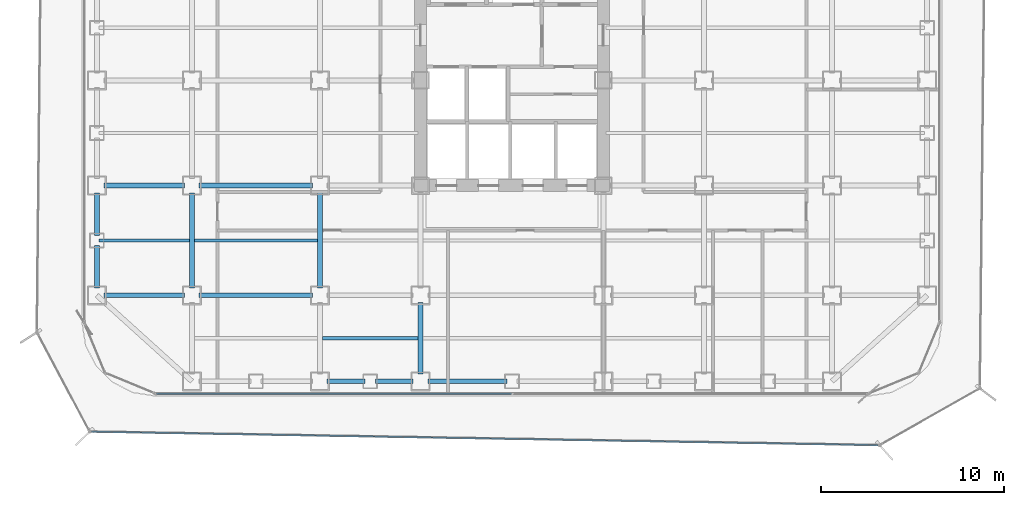
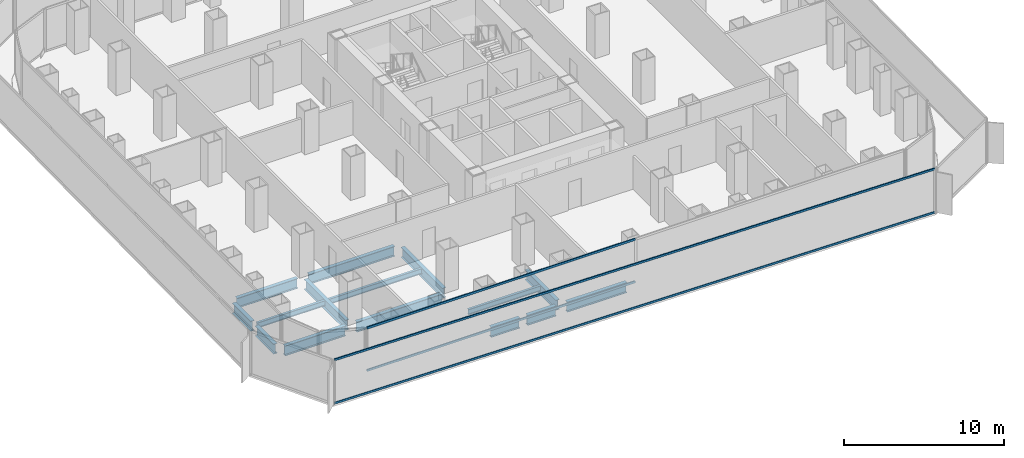
# One storey, part 3 of 21: 15 beams, 4 members, 2 elements without a shape of their own.
"""IFC4 building model written with IfcOpenShell, lengths in metres."""

import ifcopenshell
import ifcopenshell.guid

model = None  # the IFC model being written
_history = None  # IfcOwnerHistory: only IFC2X3 demands one
_inside = {}  # id of a spatial element -> (the spatial element, [elements in it])
_under = {}  # id of a project, library or spatial element -> (it, [spatial elements below it])
_declared = {}  # id of a project -> (the project, [libraries it declares])
_typed = {}  # id of a type object -> (the type object, [elements of that type])
_made_of = {}  # id of a material, layer set ... -> (it, [elements and type objects made of it])


def new_model(schema):
    """Start an empty IFC model of exactly this schema.

    Asked for "IFC4X3", IfcOpenShell would pick the latest addendum, in which some entities
    have other attributes; the version numbers below select the first issue.
    IFC2X3 requires an IfcOwnerHistory on every rooted entity: one is made here for all.
    """
    global model, _history
    if schema == "IFC4X3":
        model = ifcopenshell.file(schema_version=(4, 3, 0, 0))
    else:
        model = ifcopenshell.file(schema=schema)
    _inside.clear()
    _under.clear()
    _declared.clear()
    _typed.clear()
    _made_of.clear()
    _history = None
    if model.schema == "IFC2X3":
        org = make("IfcOrganization", Name="unknown")
        user = make(
            "IfcPersonAndOrganization",
            ThePerson=make("IfcPerson", FamilyName="unknown"),
            TheOrganization=org,
        )
        app = make(
            "IfcApplication",
            ApplicationDeveloper=org,
            Version="unknown",
            ApplicationFullName="unknown",
            ApplicationIdentifier="unknown",
        )
        _history = make(
            "IfcOwnerHistory",
            OwningUser=user,
            OwningApplication=app,
            ChangeAction="ADDED",
            CreationDate=0,
        )
    return model


def make(cls, **values):
    """One entity of the class cls with the attributes given. An attribute that is None is left unset."""
    return model.create_entity(
        cls, **{name: value for name, value in values.items() if value is not None}
    )


def rooted(cls, **values):
    """An entity with a GlobalId (a new one), such as an element, a storey or a relation."""
    return make(cls, GlobalId=ifcopenshell.guid.new(), OwnerHistory=_history, **values)


def si_unit(unit_type, name, prefix=None):
    """IfcSIUnit, for example si_unit("LENGTHUNIT", "METRE", prefix="MILLI")."""
    return make("IfcSIUnit", UnitType=unit_type, Prefix=prefix, Name=name)


def assignment(units):
    """IfcUnitAssignment: the units of a project."""
    return None if units is None else make("IfcUnitAssignment", Units=units)


def point(xyz):
    """IfcCartesianPoint."""
    return None if xyz is None else make("IfcCartesianPoint", Coordinates=xyz)


def direction(xyz):
    """IfcDirection."""
    return None if xyz is None else make("IfcDirection", DirectionRatios=xyz)


def frame(location, z_axis=None, x_axis=None):
    """IfcAxis2Placement3D, a coordinate frame: its origin and axes. An axis left out is left unset."""
    return make(
        "IfcAxis2Placement3D",
        Location=point(location),
        Axis=direction(z_axis),
        RefDirection=direction(x_axis),
    )


def frame_2d(location, x_axis=None):
    """IfcAxis2Placement2D, a coordinate frame in the plane: its origin and x axis."""
    return make(
        "IfcAxis2Placement2D", Location=point(location), RefDirection=direction(x_axis)
    )


def origin():
    """The frame at (0, 0, 0) with its axes left unset."""
    return frame((0.0, 0.0, 0.0))


def origin_2d():
    """The frame at (0, 0) in the plane with its x axis left unset."""
    return frame_2d((0.0, 0.0))


def place(relative_to, where):
    """IfcLocalPlacement: puts the frame where relative to a parent placement (None: the world)."""
    return make(
        "IfcLocalPlacement", PlacementRelTo=relative_to, RelativePlacement=where
    )


def context(
    kind, dimensions, precision=None, world=None, true_north=None, identifier=None
):
    """IfcGeometricRepresentationContext, for example the 3D "Model" context."""
    return make(
        "IfcGeometricRepresentationContext",
        ContextIdentifier=identifier,
        ContextType=kind,
        CoordinateSpaceDimension=dimensions,
        Precision=precision,
        WorldCoordinateSystem=world,
        TrueNorth=true_north,
    )


def subcontext(parent, identifier, kind, view, scale=None):
    """IfcGeometricRepresentationSubContext, for example "Body" below "Model"."""
    return make(
        "IfcGeometricRepresentationSubContext",
        ContextIdentifier=identifier,
        ContextType=kind,
        ParentContext=parent,
        TargetScale=scale,
        TargetView=view,
    )


def project(units=None, contexts=None):
    """IfcProject with its units and contexts."""
    return rooted(
        "IfcProject",
        Name="project",
        RepresentationContexts=contexts,
        UnitsInContext=assignment(units),
    )


def spatial(cls, under=None, at=None, **own):
    """A site, building, storey or space (cls), placed at a placement, below another one or the project."""
    s = rooted(cls, ObjectPlacement=at, **own)
    if under is not None:
        _under.setdefault(under.id(), (under, []))[1].append(s)
    return s


def profile(cls, at=None, kind="AREA", **sizes):
    """A parametric profile (cls). Its sizes go by their IFC names, for example OverallWidth=200.0."""
    return make(cls, ProfileType=kind, Position=at, **sizes)


def hollow_rectangle(**sizes):
    """IfcRectangleHollowProfileDef."""
    return profile("IfcRectangleHollowProfileDef", **sizes)


def i_section(**sizes):
    """IfcIShapeProfileDef."""
    return profile("IfcIShapeProfileDef", **sizes)


def extrude(swept, where, along, depth):
    """IfcExtrudedAreaSolid: the profile swept, set in the frame where, extruded along a direction by depth."""
    return make(
        "IfcExtrudedAreaSolid",
        SweptArea=swept,
        Position=where,
        ExtrudedDirection=direction(along),
        Depth=depth,
    )


def shape(context_of_items, identifier, shape_type, items):
    """IfcShapeRepresentation: the items that make up one representation, for example the "Body"."""
    return make(
        "IfcShapeRepresentation",
        ContextOfItems=context_of_items,
        RepresentationIdentifier=identifier,
        RepresentationType=shape_type,
        Items=items,
    )


def source(mapping_origin, context_of_items, identifier, shape_type, items):
    """IfcRepresentationMap: a shape defined once, which mapped items show again and again."""
    return make(
        "IfcRepresentationMap",
        MappingOrigin=mapping_origin,
        MappedRepresentation=shape(context_of_items, identifier, shape_type, items),
    )


def transform(
    local_origin,
    x_axis=None,
    y_axis=None,
    z_axis=None,
    scale=None,
    scale2=None,
    scale3=None,
    uniform=True,
):
    """IfcCartesianTransformationOperator3D, or its non-uniform kind. x_axis, y_axis, z_axis: its Axis1, 2, 3."""
    if uniform:
        return make(
            "IfcCartesianTransformationOperator3D",
            Axis1=direction(x_axis),
            Axis2=direction(y_axis),
            LocalOrigin=point(local_origin),
            Scale=scale,
            Axis3=direction(z_axis),
        )
    return make(
        "IfcCartesianTransformationOperator3DnonUniform",
        Axis1=direction(x_axis),
        Axis2=direction(y_axis),
        LocalOrigin=point(local_origin),
        Scale=scale,
        Axis3=direction(z_axis),
        Scale2=scale2,
        Scale3=scale3,
    )


def mapped(mapping_source, mapping_target):
    """IfcMappedItem: shows the shape of a source again, moved by a transform."""
    return make(
        "IfcMappedItem", MappingSource=mapping_source, MappingTarget=mapping_target
    )


def material(Name=None, Category=None):
    """IfcMaterial."""
    return make("IfcMaterial", Name=Name, Category=Category)


def layer(
    of_material, thickness, ventilated=None, Name=None, Category=None, Priority=None
):
    """IfcMaterialLayer: one layer of a wall or slab, of a material (None: an air gap)."""
    return make(
        "IfcMaterialLayer",
        Material=of_material,
        LayerThickness=thickness,
        IsVentilated=ventilated,
        Name=Name,
        Category=Category,
        Priority=Priority,
    )


def layer_set(layers, Name=None):
    """IfcMaterialLayerSet."""
    return make("IfcMaterialLayerSet", MaterialLayers=layers, LayerSetName=Name)


def material_profile(
    of_material, cross_section, Name=None, Category=None, Priority=None
):
    """IfcMaterialProfile: a cross section and its material."""
    return make(
        "IfcMaterialProfile",
        Name=Name,
        Material=of_material,
        Profile=cross_section,
        Priority=Priority,
        Category=Category,
    )


def profile_set(profiles, Name=None, composite=None):
    """IfcMaterialProfileSet."""
    return make(
        "IfcMaterialProfileSet",
        Name=Name,
        MaterialProfiles=profiles,
        CompositeProfile=composite,
    )


def made_of(thing, what):
    """Note that an element or type object is made of a material, layer set ...; save() writes the relation."""
    if what is not None:
        _made_of.setdefault(what.id(), (what, []))[1].append(thing)
    return thing


def type_object(cls, material=None, **own):
    """A type object (cls), such as IfcWallType, which elements share."""
    return made_of(rooted(cls, **own), material)


def element(
    cls,
    number,
    at=None,
    inside=None,
    cuts=None,
    type_object=None,
    material=None,
    context=None,
    identifier="Body",
    shape_type=None,
    held_by="IfcProductDefinitionShape",
    body=None,
    shapes=None,
    **own,
):
    """One element of the class cls, such as IfcWall. Its Tag is "e" and its number.

    at: its placement. inside: the storey or other place that contains it. cuts: it is an
    opening in that element (IfcRelVoidsElement). A single representation is given by context,
    identifier, shape_type and body (its items); several are given by shapes. held_by: the class
    of the entity that holds the representations. save() writes the other relations.
    """
    e = rooted(cls, Tag="e%d" % number, ObjectPlacement=at, **own)
    if body is not None:
        shapes = [shape(context, identifier, shape_type, body)]
    if shapes is not None:
        e.Representation = make(held_by, Representations=shapes)
    if inside is not None:
        _inside.setdefault(inside.id(), (inside, []))[1].append(e)
    if cuts is not None:
        rooted(
            "IfcRelVoidsElement", RelatingBuildingElement=cuts, RelatedOpeningElement=e
        )
    if type_object is not None:
        _typed.setdefault(type_object.id(), (type_object, []))[1].append(e)
    return made_of(e, material)


def aggregate(whole, parts):
    """IfcRelAggregates: a whole, such as a stair, and the parts it consists of."""
    return rooted("IfcRelAggregates", RelatingObject=whole, RelatedObjects=parts)


def save(model, path):
    """Write the relations noted so far, then the file.

    IfcRelAggregates (storeys below a building ...), IfcRelContainedInSpatialStructure (elements
    in a storey), IfcRelDefinesByType, IfcRelAssociatesMaterial and IfcRelDeclares: one each for
    every whole, place, type object, material and project.
    """
    for whole, parts in _under.values():
        aggregate(whole, parts)
    for where, things in _inside.values():
        rooted(
            "IfcRelContainedInSpatialStructure",
            RelatedElements=things,
            RelatingStructure=where,
        )
    for kind, things in _typed.values():
        rooted("IfcRelDefinesByType", RelatedObjects=things, RelatingType=kind)
    for what, things in _made_of.values():
        rooted("IfcRelAssociatesMaterial", RelatedObjects=things, RelatingMaterial=what)
    for by, libraries in _declared.values():
        rooted("IfcRelDeclares", RelatingContext=by, RelatedDefinitions=libraries)
    model.write(path)


model = new_model("IFC4")

# Units and contexts
model_context = context("Model", 3, precision=1e-05, world=origin(), true_north=direction((0.0, 1.0)))
body_context = subcontext(model_context, "Body", "Model", "MODEL_VIEW")
ifc_project = project(units=[si_unit("LENGTHUNIT", "METRE"), si_unit("AREAUNIT", "SQUARE_METRE"), si_unit("VOLUMEUNIT", "CUBIC_METRE"), si_unit("PLANEANGLEUNIT", "RADIAN"), si_unit("MASSUNIT", "GRAM", prefix="KILO")], contexts=[model_context])

# Site, building, storey
site_placement = place(None, origin())
site = spatial("IfcSite", under=ifc_project, at=site_placement, CompositionType="ELEMENT")
building_placement = place(site_placement, origin())
building = spatial("IfcBuilding", under=site, at=building_placement, Name="Kolveth Station Tower", CompositionType="ELEMENT")
storey_placement = place(building_placement, frame((0.0, 0.0, 40.5)))
storey = spatial("IfcBuildingStorey", under=building, at=storey_placement, Name="L10", CompositionType="ELEMENT", Elevation=40.5)

# Beams
ifc_material_1 = material(Name="Steel S355", Category="steel")
ifc_material_profile_1 = material_profile(ifc_material_1, i_section(OverallWidth=0.26904296875, OverallDepth=0.77490234375, WebThickness=0.01708984375, FlangeThickness=0.0283203125, at=origin_2d()), Name="W760x220")
ifc_profile_set_1 = profile_set([ifc_material_profile_1], Name="Steel S355")
beam_type_1 = type_object("IfcBeamType", Name="Beam_SP1", PredefinedType="SPANDREL", material=ifc_profile_set_1)
shared_shape_1 = source(origin(), body_context, "Body", "SweptSolid", [
    extrude(i_section(OverallWidth=0.26904296875, OverallDepth=0.77490234375, WebThickness=0.01708984375, FlangeThickness=0.0283203125, at=origin_2d()), origin(), (0.0, 0.0, 1.0), 2.070068359375),
])
for number, where, z_axis, x_axis, name in (
    (1, (13.39990234375, 0.800048828125, -0.66748046875), (1.0, 0.0, 0.0), (0.0, 1.0, 0.0), "L10 Perimeter Spandrel BM-L10-PS-3"),
    (2, (16.030029296875, 0.800048828125, -0.66748046875), (1.0, 0.0, 0.0), (0.0, 1.0, 0.0), "L10 Perimeter Spandrel BM-L10-PS-4"),
):
    element("IfcBeam", number, at=place(storey_placement, frame(where, z_axis=z_axis, x_axis=x_axis)), inside=storey, type_object=beam_type_1, Name=name, PredefinedType="SPANDREL", context=body_context, shape_type="MappedRepresentation", body=[
        mapped(shared_shape_1, transform((0.0, 0.0, 0.0), x_axis=(1.0, 0.0, 0.0), y_axis=(0.0, 1.0, 0.0), z_axis=(0.0, 0.0, 1.0), scale=1.0)),
    ])
shared_shape_2 = source(origin(), body_context, "Body", "SweptSolid", [
    extrude(i_section(OverallWidth=0.26904296875, OverallDepth=0.77490234375, WebThickness=0.01708984375, FlangeThickness=0.0283203125, at=origin_2d()), origin(), (0.0, 0.0, 1.0), 4.320068359375),
])
beam_1_placement = place(storey_placement, frame((18.89990234375, 0.800048828125, -0.66748046875), z_axis=(1.0, 0.0, 0.0), x_axis=(0.0, 1.0, 0.0)))
element("IfcBeam", 3, at=beam_1_placement, inside=storey, type_object=beam_type_1, Name="L10 Perimeter Spandrel BM-L10-PS-5", PredefinedType="SPANDREL", context=body_context, shape_type="MappedRepresentation", body=[
    mapped(shared_shape_2, transform((0.0, 0.0, 0.0), x_axis=(1.0, 0.0, 0.0), y_axis=(0.0, 1.0, 0.0), z_axis=(0.0, 0.0, 1.0), scale=1.0)),
])
shared_shape_3 = source(origin(), body_context, "Body", "SweptSolid", [
    extrude(i_section(OverallWidth=0.26904296875, OverallDepth=0.77490234375, WebThickness=0.01708984375, FlangeThickness=0.0283203125, at=origin_2d()), origin(), (0.0, 0.0, 1.0), 2.320068359375),
])
for number, where, z_axis, x_axis, name in (
    (4, (0.800048828125, 5.89990234375, -0.66748046875), (0.0, 1.0, 0.0), (-1.0, 0.0, 0.0), "L10 Perimeter Spandrel BM-L10-PW-1"),
    (5, (0.800048828125, 8.780029296875, -0.66748046875), (0.0, 1.0, 0.0), (-1.0, 0.0, 0.0), "L10 Perimeter Spandrel BM-L10-PW-2"),
):
    element("IfcBeam", number, at=place(storey_placement, frame(where, z_axis=z_axis, x_axis=x_axis)), inside=storey, type_object=beam_type_1, Name=name, PredefinedType="SPANDREL", context=body_context, shape_type="MappedRepresentation", body=[
        mapped(shared_shape_3, transform((0.0, 0.0, 0.0), x_axis=(1.0, 0.0, 0.0), y_axis=(0.0, 1.0, 0.0), z_axis=(0.0, 0.0, 1.0), scale=1.0)),
    ])
ifc_material_profile_2 = material_profile(ifc_material_1, i_section(OverallWidth=0.26708984375, OverallDepth=0.76611328125, WebThickness=0.014892578125, FlangeThickness=0.023681640625, at=origin_2d()), Name="W760x185")
ifc_profile_set_2 = profile_set([ifc_material_profile_2], Name="Steel S355")
beam_type_2 = type_object("IfcBeamType", Name="Beam_B3", PredefinedType="BEAM", material=ifc_profile_set_2)
shared_shape_4 = source(origin(), body_context, "Body", "SweptSolid", [
    extrude(i_section(OverallWidth=0.26708984375, OverallDepth=0.76611328125, WebThickness=0.014892578125, FlangeThickness=0.023681640625, at=origin_2d()), origin(), (0.0, 0.0, 1.0), 4.400146484375),
])
for number, where, z_axis, x_axis, name in (
    (6, (1.199951171875, 5.5, -0.6630859375), (1.0, 0.0, 0.0), (0.0, 1.0, 0.0), "L10 Primary Girder BM-L10-GY55-1"),
    (7, (1.199951171875, 11.5, -0.6630859375), (1.0, 0.0, 0.0), (0.0, 1.0, 0.0), "L10 Primary Girder BM-L10-GY115-1"),
):
    element("IfcBeam", number, at=place(storey_placement, frame(where, z_axis=z_axis, x_axis=x_axis)), inside=storey, type_object=beam_type_2, Name=name, PredefinedType="BEAM", context=body_context, shape_type="MappedRepresentation", body=[
        mapped(shared_shape_4, transform((0.0, 0.0, 0.0), x_axis=(1.0, 0.0, 0.0), y_axis=(0.0, 1.0, 0.0), z_axis=(0.0, 0.0, 1.0), scale=1.0)),
    ])
shared_shape_5 = source(origin(), body_context, "Body", "SweptSolid", [
    extrude(i_section(OverallWidth=0.26708984375, OverallDepth=0.76611328125, WebThickness=0.014892578125, FlangeThickness=0.023681640625, at=origin_2d()), origin(), (0.0, 0.0, 1.0), 6.2001953125),
])
for number, where, z_axis, x_axis, name in (
    (8, (6.39990234375, 5.5, -0.6630859375), (1.0, 0.0, 0.0), (0.0, 1.0, 0.0), "L10 Primary Girder BM-L10-GY55-2"),
    (9, (6.39990234375, 11.5, -0.6630859375), (1.0, 0.0, 0.0), (0.0, 1.0, 0.0), "L10 Primary Girder BM-L10-GY115-2"),
):
    element("IfcBeam", number, at=place(storey_placement, frame(where, z_axis=z_axis, x_axis=x_axis)), inside=storey, type_object=beam_type_2, Name=name, PredefinedType="BEAM", context=body_context, shape_type="MappedRepresentation", body=[
        mapped(shared_shape_5, transform((0.0, 0.0, 0.0), x_axis=(1.0, 0.0, 0.0), y_axis=(0.0, 1.0, 0.0), z_axis=(0.0, 0.0, 1.0), scale=1.0)),
    ])
shared_shape_6 = source(origin(), body_context, "Body", "SweptSolid", [
    extrude(i_section(OverallWidth=0.26708984375, OverallDepth=0.76611328125, WebThickness=0.014892578125, FlangeThickness=0.023681640625, at=origin_2d()), origin(), (0.0, 0.0, 1.0), 3.900146484375),
])
beam_2_placement = place(storey_placement, frame((18.5, 1.199951171875, -0.6630859375), z_axis=(0.0, 1.0, 0.0), x_axis=(-1.0, 0.0, 0.0)))
element("IfcBeam", 10, at=beam_2_placement, inside=storey, type_object=beam_type_2, Name="L10 Primary Girder BM-L10-GX185-1", PredefinedType="BEAM", context=body_context, shape_type="MappedRepresentation", body=[
    mapped(shared_shape_6, transform((0.0, 0.0, 0.0), x_axis=(1.0, 0.0, 0.0), y_axis=(0.0, 1.0, 0.0), z_axis=(0.0, 0.0, 1.0), scale=1.0)),
])
shared_shape_7 = source(origin(), body_context, "Body", "SweptSolid", [
    extrude(i_section(OverallWidth=0.26708984375, OverallDepth=0.76611328125, WebThickness=0.014892578125, FlangeThickness=0.023681640625, at=origin_2d()), origin(), (0.0, 0.0, 1.0), 5.2001953125),
])
for number, where, z_axis, x_axis, name in (
    (11, (6.0, 5.89990234375, -0.6630859375), (0.0, 1.0, 0.0), (-1.0, 0.0, 0.0), "L10 Primary Girder BM-L10-GX60-2"),
    (12, (13.0, 5.89990234375, -0.6630859375), (0.0, 1.0, 0.0), (-1.0, 0.0, 0.0), "L10 Primary Girder BM-L10-GX130-2"),
):
    element("IfcBeam", number, at=place(storey_placement, frame(where, z_axis=z_axis, x_axis=x_axis)), inside=storey, type_object=beam_type_2, Name=name, PredefinedType="BEAM", context=body_context, shape_type="MappedRepresentation", body=[
        mapped(shared_shape_7, transform((0.0, 0.0, 0.0), x_axis=(1.0, 0.0, 0.0), y_axis=(0.0, 1.0, 0.0), z_axis=(0.0, 0.0, 1.0), scale=1.0)),
    ])
ifc_material_profile_3 = material_profile(ifc_material_1, i_section(OverallWidth=0.177978515625, OverallDepth=0.406982421875, WebThickness=0.0078125, FlangeThickness=0.0126953125, at=origin_2d()), Name="W410x60")
ifc_profile_set_3 = profile_set([ifc_material_profile_3], Name="Steel S355")
beam_type_3 = type_object("IfcBeamType", Name="Beam_J1", PredefinedType="JOIST", material=ifc_profile_set_3)
shared_shape_8 = source(origin(), body_context, "Body", "SweptSolid", [
    extrude(i_section(OverallWidth=0.177978515625, OverallDepth=0.406982421875, WebThickness=0.0078125, FlangeThickness=0.0126953125, at=origin_2d()), origin(), (0.0, 0.0, 1.0), 4.935791015625),
])
beam_3_placement = place(storey_placement, frame((0.9326171875, 8.5, -0.4833984375), z_axis=(1.0, 0.0, 0.0), x_axis=(0.0, 1.0, 0.0)))
element("IfcBeam", 13, at=beam_3_placement, inside=storey, type_object=beam_type_3, Name="L10 Secondary Joist JST-L10-1-2", PredefinedType="JOIST", context=body_context, shape_type="MappedRepresentation", body=[
    mapped(shared_shape_8, transform((0.0, 0.0, 0.0), x_axis=(1.0, 0.0, 0.0), y_axis=(0.0, 1.0, 0.0), z_axis=(0.0, 0.0, 1.0), scale=1.0)),
])
shared_shape_9 = source(origin(), body_context, "Body", "SweptSolid", [
    extrude(i_section(OverallWidth=0.177978515625, OverallDepth=0.406982421875, WebThickness=0.0078125, FlangeThickness=0.0126953125, at=origin_2d()), origin(), (0.0, 0.0, 1.0), 6.73681640625),
])
beam_4_placement = place(storey_placement, frame((6.131591796875, 8.5, -0.4833984375), z_axis=(1.0, 0.0, 0.0), x_axis=(0.0, 1.0, 0.0)))
element("IfcBeam", 14, at=beam_4_placement, inside=storey, type_object=beam_type_3, Name="L10 Secondary Joist JST-L10-2-2", PredefinedType="JOIST", context=body_context, shape_type="MappedRepresentation", body=[
    mapped(shared_shape_9, transform((0.0, 0.0, 0.0), x_axis=(1.0, 0.0, 0.0), y_axis=(0.0, 1.0, 0.0), z_axis=(0.0, 0.0, 1.0), scale=1.0)),
])
shared_shape_10 = source(origin(), body_context, "Body", "SweptSolid", [
    extrude(i_section(OverallWidth=0.177978515625, OverallDepth=0.406982421875, WebThickness=0.0078125, FlangeThickness=0.0126953125, at=origin_2d()), origin(), (0.0, 0.0, 1.0), 5.23681640625),
])
beam_5_placement = place(storey_placement, frame((13.131591796875, 3.14990234375, -0.4833984375), z_axis=(1.0, 0.0, 0.0), x_axis=(0.0, 1.0, 0.0)))
element("IfcBeam", 15, at=beam_5_placement, inside=storey, type_object=beam_type_3, Name="L10 Secondary Joist JST-L10-3-1", PredefinedType="JOIST", context=body_context, shape_type="MappedRepresentation", body=[
    mapped(shared_shape_10, transform((0.0, 0.0, 0.0), x_axis=(1.0, 0.0, 0.0), y_axis=(0.0, 1.0, 0.0), z_axis=(0.0, 0.0, 1.0), scale=1.0)),
])

# Curtain wall, members
ifc_material_2 = material(Name="Aluminium 6063-T6 and low-E dark glass", Category="aluminium")
ifc_layer_1 = layer(ifc_material_2, 0.179931640625)
ifc_layer_set_1 = layer_set([ifc_layer_1], Name="Aluminium 6063-T6 and low-E dark glass")
curtain_wall_type_1 = type_object("IfcCurtainWallType", Name="CurtainWall_CW-Z1", PredefinedType="NOTDEFINED", material=ifc_layer_set_1)
curtain_wall_1_placement = place(storey_placement, origin())
curtain_wall_1 = element("IfcCurtainWall", 16, at=curtain_wall_1_placement, inside=storey, type_object=curtain_wall_type_1, Name="L10 Inner Thermal Curtain Wall 12", PredefinedType="NOTDEFINED")
ifc_material_3 = material(Name="Black anodized aluminium 6063-T6", Category="aluminium")
ifc_material_profile_4 = material_profile(ifc_material_3, hollow_rectangle(XDim=0.074951171875, YDim=0.159912109375, WallThickness=0.0048828125, at=origin_2d()), Name="ALU-75x160x5")
ifc_profile_set_4 = profile_set([ifc_material_profile_4], Name="Black anodized aluminium 6063-T6")
member_type_1 = type_object("IfcMemberType", Name="Transom_TR1", PredefinedType="USERDEFINED", material=ifc_profile_set_4)
shared_shape_11 = source(origin(), body_context, "Body", "SweptSolid", [
    extrude(hollow_rectangle(XDim=0.074951171875, YDim=0.159912109375, WallThickness=0.0048828125, at=origin_2d()), origin(), (0.0, 0.0, 1.0), 19.387451171875),
])
member_1_placement = place(storey_placement, frame((4.074951171875, 0.1201171875, 0.03759765625), z_axis=(1.0, 0.0, 0.0), x_axis=(0.0, 1.0, 0.0)))
member_1 = element("IfcMember", 17, at=member_1_placement, type_object=member_type_1, Name="CW-Z1 transom 1.1", ObjectType="TRANSOM", PredefinedType="USERDEFINED", context=body_context, shape_type="MappedRepresentation", body=[
    mapped(shared_shape_11, transform((0.0, 0.0, 0.0), x_axis=(1.0, 0.0, 0.0), y_axis=(0.0, 1.0, 0.0), z_axis=(0.0, 0.0, 1.0), scale=1.0)),
])
member_2_placement = place(storey_placement, frame((4.074951171875, 0.1201171875, 3.282470703125), z_axis=(1.0, 0.0, 0.0), x_axis=(0.0, 1.0, 0.0)))
member_2 = element("IfcMember", 18, at=member_2_placement, type_object=member_type_1, Name="CW-Z1 transom 1.2", ObjectType="TRANSOM", PredefinedType="USERDEFINED", context=body_context, shape_type="MappedRepresentation", body=[
    mapped(shared_shape_11, transform((0.0, 0.0, 0.0), x_axis=(1.0, 0.0, 0.0), y_axis=(0.0, 1.0, 0.0), z_axis=(0.0, 0.0, 1.0), scale=1.0)),
])
aggregate(curtain_wall_1, [member_1, member_2])

ifc_material_4 = material(Name="Black anodized aluminium 6063-T6 and dark solar glass", Category="aluminium")
ifc_layer_2 = layer(ifc_material_4, 0.159912109375)
ifc_layer_set_2 = layer_set([ifc_layer_2], Name="Black anodized aluminium 6063-T6 and dark solar glass")
curtain_wall_type_2 = type_object("IfcCurtainWallType", Name="OUTER SKIN CW-OS", PredefinedType="NOTDEFINED", material=ifc_layer_set_2)
curtain_wall_2_placement = place(storey_placement, origin())
curtain_wall_2 = element("IfcCurtainWall", 19, at=curtain_wall_2_placement, inside=storey, type_object=curtain_wall_type_2, Name="L10 Outer Ventilated Skin Curtain Wall 8", PredefinedType="NOTDEFINED")
ifc_material_profile_5 = material_profile(ifc_material_3, hollow_rectangle(XDim=0.080078125, YDim=0.14990234375, WallThickness=0.0048828125, at=origin_2d()), Name="ALU-80x150x5")
ifc_profile_set_5 = profile_set([ifc_material_profile_5], Name="Black anodized aluminium 6063-T6")
member_type_2 = type_object("IfcMemberType", Name="Transom_TR-OS", PredefinedType="USERDEFINED", material=ifc_profile_set_5)
shared_shape_12 = source(origin(), body_context, "Body", "SweptSolid", [
    extrude(hollow_rectangle(XDim=0.080078125, YDim=0.14990234375, WallThickness=0.0048828125, at=origin_2d()), origin(), (0.0, 0.0, 1.0), 43.014404296875),
])
member_3_placement = place(storey_placement, frame((0.5087890625, -1.954833984375, 0.0400390625), z_axis=(0.999852597382, -0.017169260546, 0.0), x_axis=(0.017169260546, 0.999852597382, 0.0)))
member_3 = element("IfcMember", 20, at=member_3_placement, type_object=member_type_2, Name="CW-OS transom 1.1", ObjectType="TRANSOM", PredefinedType="USERDEFINED", context=body_context, shape_type="MappedRepresentation", body=[
    mapped(shared_shape_12, transform((0.0, 0.0, 0.0), x_axis=(1.0, 0.0, 0.0), y_axis=(0.0, 1.0, 0.0), z_axis=(0.0, 0.0, 1.0), scale=1.0)),
])
member_4_placement = place(storey_placement, frame((0.5087890625, -1.954833984375, 3.35009765625), z_axis=(0.999852597382, -0.017169260546, 0.0), x_axis=(0.017169260546, 0.999852597382, 0.0)))
member_4 = element("IfcMember", 21, at=member_4_placement, type_object=member_type_2, Name="CW-OS transom 1.2", ObjectType="TRANSOM", PredefinedType="USERDEFINED", context=body_context, shape_type="MappedRepresentation", body=[
    mapped(shared_shape_12, transform((0.0, 0.0, 0.0), x_axis=(1.0, 0.0, 0.0), y_axis=(0.0, 1.0, 0.0), z_axis=(0.0, 0.0, 1.0), scale=1.0)),
])
aggregate(curtain_wall_2, [member_3, member_4])

save(model, "model.ifc")
